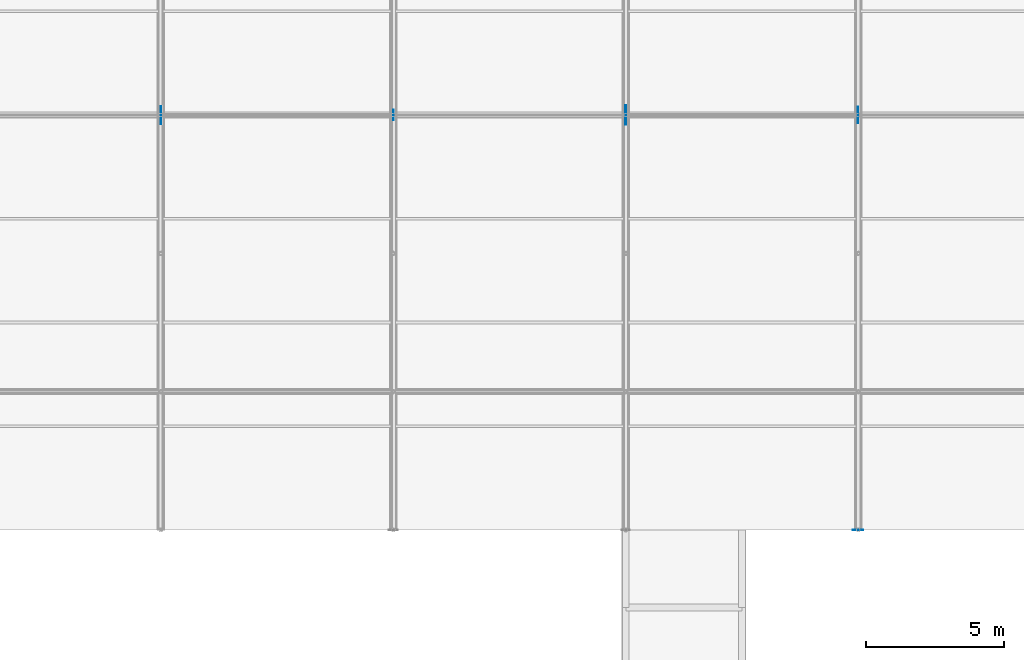
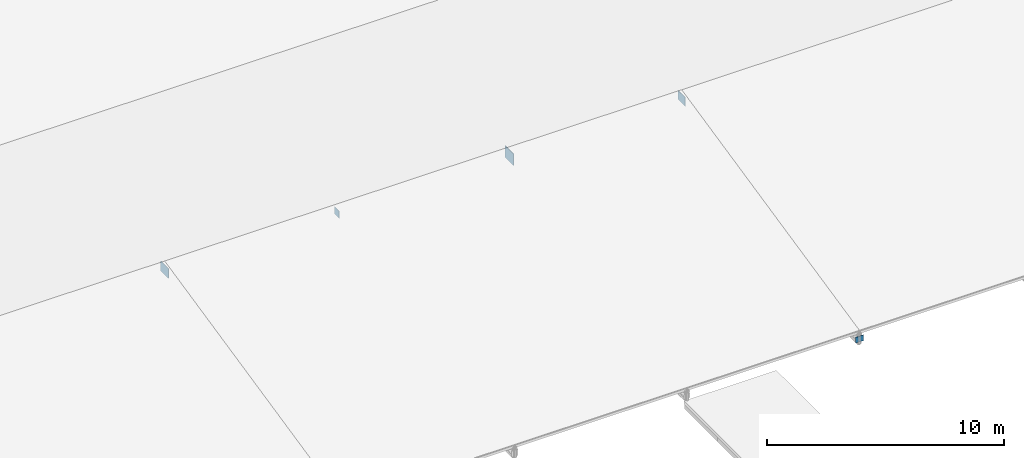
# One storey, part 168 of 194: 5 plates.
"""IFC4 building model written with IfcOpenShell, lengths in metres."""

from ifc_helpers import new_model, si_unit, direction, frame, origin, origin_2d, place, context, subcontext, project, spatial, rectangle, extrude, material, layer, layer_set, type_object, element, save


model = new_model("IFC4")

# Units and contexts
model_context = context("Model", 3, precision=1e-05, world=origin(), true_north=direction((0.0, 1.0)))
body_context = subcontext(model_context, "Body", "Model", "MODEL_VIEW")
ifc_project = project(units=[si_unit("LENGTHUNIT", "METRE"), si_unit("AREAUNIT", "SQUARE_METRE"), si_unit("VOLUMEUNIT", "CUBIC_METRE"), si_unit("PLANEANGLEUNIT", "RADIAN"), si_unit("MASSUNIT", "GRAM", prefix="KILO")], contexts=[model_context])

# Site, building, storey
site_placement = place(None, origin())
site = spatial("IfcSite", under=ifc_project, at=site_placement, CompositionType="ELEMENT")
building_placement = place(site_placement, origin())
building = spatial("IfcBuilding", under=site, at=building_placement, Name="Kazenagashi Tramway Depot", CompositionType="ELEMENT")
storey_placement = place(building_placement, frame((0.0, 0.0, 23.7)))
storey = spatial("IfcBuildingStorey", under=building, at=storey_placement, Name="ROOF", CompositionType="ELEMENT", Elevation=23.7)

# Plates
ifc_material_1 = material(Name="Steel STK490", Category="steel")
ifc_layer_1 = layer(ifc_material_1, 0.018)
ifc_layer_set_1 = layer_set([ifc_layer_1], Name="Steel STK490")
plate_type_1 = type_object("IfcPlateType", Name="EC-07", PredefinedType="USERDEFINED", material=ifc_layer_set_1)
plate_1_placement = place(storey_placement, frame((95.2, 70.0, -14.05), z_axis=(0.0, 0.0, 1.0), x_axis=(1.0, 0.0, 0.0)))
element("IfcPlate", 1, at=plate_1_placement, inside=storey, type_object=plate_type_1, Name="Structural Node Plate EC-07 PLT-0027", ObjectType="END CAP PLATE", PredefinedType="USERDEFINED", context=body_context, shape_type="SweptSolid", body=[
    extrude(rectangle(XDim=0.38, YDim=0.018, at=origin_2d()), origin(), (0.0, 0.0, 1.0), 0.3),
])
ifc_material_2 = material(Name="Steel SN490B", Category="steel")
ifc_layer_2 = layer(ifc_material_2, 0.025)
ifc_layer_set_2 = layer_set([ifc_layer_2], Name="Steel SN490B")
plate_type_2 = type_object("IfcPlateType", Name="GP-04", PredefinedType="USERDEFINED", material=ifc_layer_set_2)
plate_2_placement = place(storey_placement, frame((70.0, 85.0, -10.85), z_axis=(0.0, 0.0, 1.0), x_axis=(0.0, 1.0, 0.0)))
element("IfcPlate", 2, at=plate_2_placement, inside=storey, type_object=plate_type_2, Name="Structural Node Plate GP-04 PLT-0013", ObjectType="GUSSET PLATE", PredefinedType="USERDEFINED", context=body_context, shape_type="SweptSolid", body=[
    extrude(rectangle(XDim=0.65, YDim=0.025, at=origin_2d()), origin(), (0.0, 0.0, 1.0), 0.5),
])
ifc_material_3 = material(Name="Weathering Steel SMA490W", Category="steel")
ifc_layer_3 = layer(ifc_material_3, 0.014)
ifc_layer_set_3 = layer_set([ifc_layer_3], Name="Weathering Steel SMA490W")
plate_type_3 = type_object("IfcPlateType", Name="GP-05", PredefinedType="USERDEFINED", material=ifc_layer_set_3)
plate_3_placement = place(storey_placement, frame((78.4, 85.0, -10.79), z_axis=(0.0, 0.0, 1.0), x_axis=(0.0, 1.0, 0.0)))
element("IfcPlate", 3, at=plate_3_placement, inside=storey, type_object=plate_type_3, Name="Structural Node Plate GP-05 PLT-0017", ObjectType="GUSSET PLATE", PredefinedType="USERDEFINED", context=body_context, shape_type="SweptSolid", body=[
    extrude(rectangle(XDim=0.38, YDim=0.014, at=origin_2d()), origin(), (0.0, 0.0, 1.0), 0.38),
])
ifc_layer_4 = layer(ifc_material_2, 0.028)
ifc_layer_set_4 = layer_set([ifc_layer_4], Name="Steel SN490B")
plate_type_4 = type_object("IfcPlateType", Name="GP-06", PredefinedType="USERDEFINED", material=ifc_layer_set_4)
plate_4_placement = place(storey_placement, frame((86.8, 85.0, -10.9), z_axis=(0.0, 0.0, 1.0), x_axis=(0.0, 1.0, 0.0)))
element("IfcPlate", 4, at=plate_4_placement, inside=storey, type_object=plate_type_4, Name="Structural Node Plate GP-06 PLT-0021", ObjectType="GUSSET PLATE", PredefinedType="USERDEFINED", context=body_context, shape_type="SweptSolid", body=[
    extrude(rectangle(XDim=0.72, YDim=0.028, at=origin_2d()), origin(), (0.0, 0.0, 1.0), 0.6),
])
ifc_layer_5 = layer(ifc_material_2, 0.022)
ifc_layer_set_5 = layer_set([ifc_layer_5], Name="Steel SN490B")
plate_type_5 = type_object("IfcPlateType", Name="GP-07", PredefinedType="USERDEFINED", material=ifc_layer_set_5)
plate_5_placement = place(storey_placement, frame((95.2, 85.0, -10.83), z_axis=(0.0, 0.0, 1.0), x_axis=(0.0, 1.0, 0.0)))
element("IfcPlate", 5, at=plate_5_placement, inside=storey, type_object=plate_type_5, Name="Structural Node Plate GP-07 PLT-0025", ObjectType="GUSSET PLATE", PredefinedType="USERDEFINED", context=body_context, shape_type="SweptSolid", body=[
    extrude(rectangle(XDim=0.6, YDim=0.022, at=origin_2d()), origin(), (0.0, 0.0, 1.0), 0.46),
])

save(model, "model.ifc")
